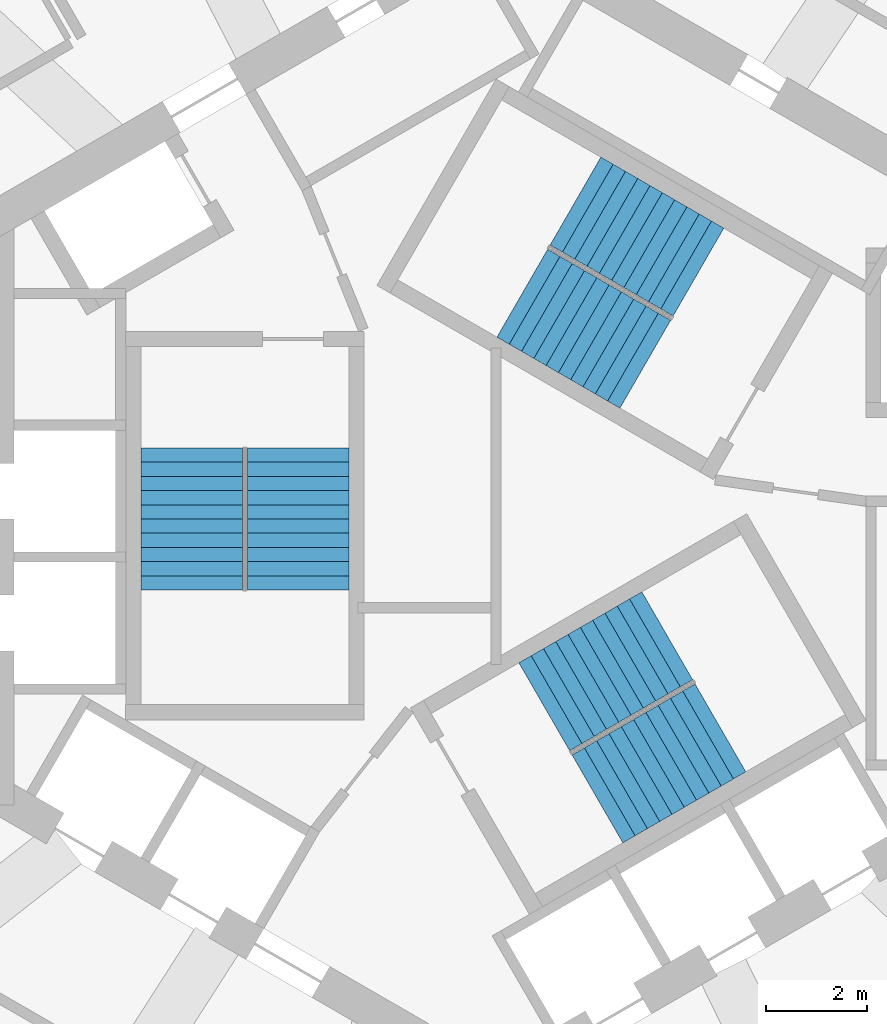
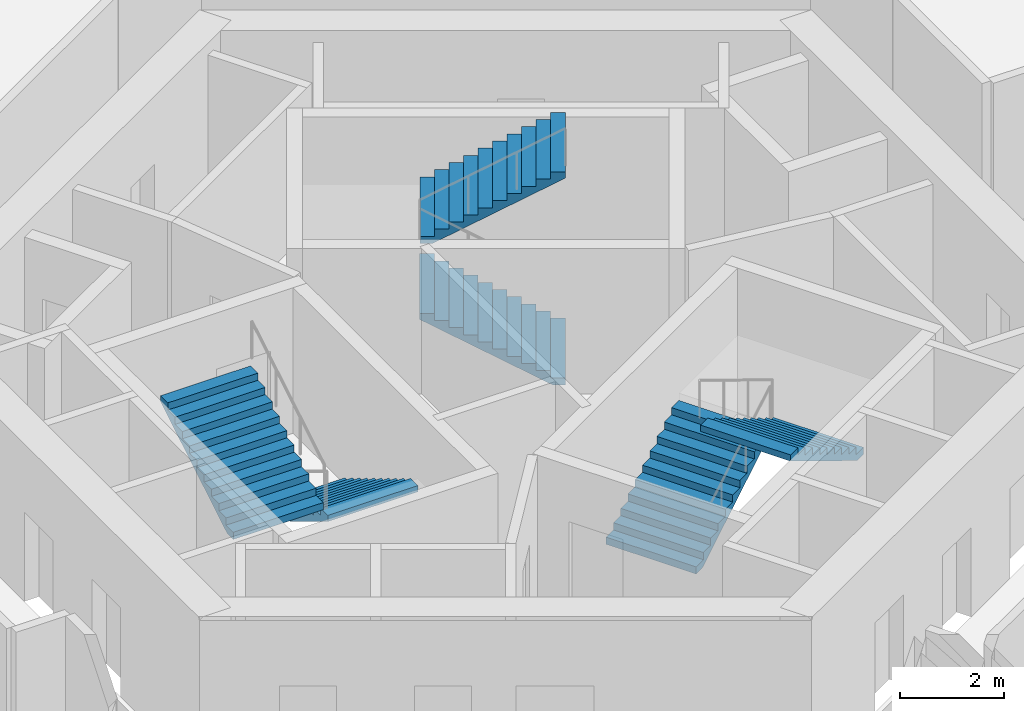
# One storey, part 8 of 10: 6 stair flights, 3 elements without a shape of their own.
"""IFC4 building model written with IfcOpenShell, lengths in metres."""

from ifc_helpers import new_model, si_unit, direction, frame, origin, place, context, subcontext, project, spatial, triangles, source, transform, mapped, material, type_object, element, aggregate, save


model = new_model("IFC4")

# Units and contexts
model_context = context("Model", 3, precision=1e-05, world=origin(), true_north=direction((0.0, 1.0)))
body_context = subcontext(model_context, "Body", "Model", "MODEL_VIEW")
ifc_project = project(units=[si_unit("LENGTHUNIT", "METRE"), si_unit("AREAUNIT", "SQUARE_METRE"), si_unit("VOLUMEUNIT", "CUBIC_METRE"), si_unit("PLANEANGLEUNIT", "RADIAN"), si_unit("MASSUNIT", "GRAM", prefix="KILO")], contexts=[model_context])

# Site, building, storey
site_placement = place(None, origin())
site = spatial("IfcSite", under=ifc_project, at=site_placement, CompositionType="ELEMENT")
building_placement = place(site_placement, origin())
building = spatial("IfcBuilding", under=site, at=building_placement, Name="Vanh Sen Convention Tower", CompositionType="ELEMENT")
storey_placement = place(building_placement, frame((0.0, 0.0, 263.5)))
storey = spatial("IfcBuildingStorey", under=building, at=storey_placement, Name="L65", CompositionType="ELEMENT", Elevation=263.5)

# Stair, stair flights
ifc_material_1 = material(Name="Concrete C50/60", Category="concrete")
stair_type_1 = type_object("IfcStairType", Name="Exit stair ST1 22 risers at 168.2", PredefinedType="HALF_TURN_STAIR", material=ifc_material_1)
stair_1_placement = place(storey_placement, origin())
stair_1 = element("IfcStair", 1, at=stair_1_placement, inside=storey, type_object=stair_type_1, Name="Exit stair ST1 L65", PredefinedType="HALF_TURN_STAIR")
ifc_material_2 = material(Name="Concrete C40/50", Category="concrete")
stair_flight_type = type_object("IfcStairFlightType", Name="Stair flight 2000", PredefinedType="STRAIGHT", material=ifc_material_2)
shared_shape = source(origin(), body_context, "Body", "Tessellation", [
    triangles([(0.24267578125, 1.0, 0.0), (0.0, 1.0, 0.0), (0.0, 1.0, 0.168212890625), (0.280029296875, 1.0, 0.168212890625), (0.280029296875, 1.0, 0.33642578125), (0.56005859375, 1.0, 0.33642578125), (0.56005859375, 1.0, 0.504638671875), (0.840087890625, 1.0, 0.504638671875), (0.840087890625, 1.0, 0.672607421875), (1.1201171875, 1.0, 0.672607421875), (1.1201171875, 1.0, 0.8408203125), (1.39990234375, 1.0, 0.8408203125), (1.39990234375, 1.0, 1.009033203125), (1.679931640625, 1.0, 1.009033203125), (1.679931640625, 1.0, 1.17724609375), (1.9599609375, 1.0, 1.17724609375), (1.9599609375, 1.0, 1.345458984375), (2.239990234375, 1.0, 1.345458984375), (2.239990234375, 1.0, 1.513671875), (2.52001953125, 1.0, 1.513671875), (2.52001953125, 1.0, 1.681884765625), (2.800048828125, 1.0, 1.681884765625), (2.800048828125, 1.0, 1.535888671875), (0.24267578125, -1.0, 0.0), (0.0, -1.0, 0.0), (0.0, -1.0, 0.168212890625), (0.280029296875, -1.0, 0.168212890625), (0.280029296875, -1.0, 0.33642578125), (0.56005859375, -1.0, 0.33642578125), (0.56005859375, -1.0, 0.504638671875), (0.840087890625, -1.0, 0.504638671875), (0.840087890625, -1.0, 0.672607421875), (1.1201171875, -1.0, 0.672607421875), (1.1201171875, -1.0, 0.8408203125), (1.39990234375, -1.0, 0.8408203125), (1.39990234375, -1.0, 1.009033203125), (1.679931640625, -1.0, 1.009033203125), (1.679931640625, -1.0, 1.17724609375), (1.9599609375, -1.0, 1.17724609375), (1.9599609375, -1.0, 1.345458984375), (2.239990234375, -1.0, 1.345458984375), (2.239990234375, -1.0, 1.513671875), (2.52001953125, -1.0, 1.513671875), (2.52001953125, -1.0, 1.681884765625), (2.800048828125, -1.0, 1.681884765625), (2.800048828125, -1.0, 1.535888671875), (0.0, 0.0400390625, 0.0), (0.0, 0.0390625, 0.0), (0.0, 0.0380859375, 0.0), (0.0, 0.037109375, 0.0), (0.0, 0.035888671875, 0.0), (0.0, 0.034912109375, 0.0), (0.0, 0.033935546875, 0.0), (0.0, 0.032958984375, 0.0), (0.0, 0.031982421875, 0.0), (0.0, 0.031005859375, 0.0), (0.0, 0.030029296875, 0.0), (0.0, 0.029052734375, 0.0), (0.0, 0.028076171875, 0.0), (0.0, 0.027099609375, 0.0), (0.0, 0.02587890625, 0.0), (0.0, 0.02490234375, 0.0), (0.0, 0.02392578125, 0.0), (0.0, 0.02294921875, 0.0), (0.0, 0.02197265625, 0.0), (0.0, 0.02099609375, 0.0), (0.0, 0.02001953125, 0.0), (0.0, 0.01904296875, 0.0), (0.0, 0.01806640625, 0.0), (0.0, 0.01708984375, 0.0), (0.0, 0.01611328125, 0.0), (0.0, 0.014892578125, 0.0), (0.0, 0.013916015625, 0.0), (0.0, 0.012939453125, 0.0), (0.0, 0.011962890625, 0.0), (0.0, 0.010986328125, 0.0), (0.0, 0.010009765625, 0.0), (0.0, 0.009033203125, 0.0), (0.0, 0.008056640625, 0.0), (0.0, 0.007080078125, 0.0), (0.0, 0.006103515625, 0.0), (0.0, 0.0048828125, 0.0), (0.0, 0.00390625, 0.0), (0.0, 0.0029296875, 0.0), (0.0, 0.001953125, 0.0), (0.0, 0.0009765625, 0.0), (0.0, 0.0, 0.0), (0.0, -0.0009765625, 0.0), (0.0, -0.001953125, 0.0), (0.0, -0.0029296875, 0.0), (0.0, -0.00390625, 0.0), (0.0, -0.0048828125, 0.0), (0.0, -0.006103515625, 0.0), (0.0, -0.007080078125, 0.0), (0.0, -0.008056640625, 0.0), (0.0, -0.009033203125, 0.0), (0.0, -0.010009765625, 0.0), (0.0, -0.010986328125, 0.0), (0.0, -0.011962890625, 0.0), (0.0, -0.012939453125, 0.0), (0.0, -0.013916015625, 0.0), (0.0, -0.014892578125, 0.0), (0.0, -0.01611328125, 0.0), (0.0, -0.01708984375, 0.0), (0.0, -0.01806640625, 0.0), (0.0, -0.01904296875, 0.0), (0.0, -0.02001953125, 0.0), (0.0, -0.02099609375, 0.0), (0.0, -0.02197265625, 0.0), (0.0, -0.02294921875, 0.0), (0.0, -0.02392578125, 0.0), (0.0, -0.02490234375, 0.0), (0.0, -0.02587890625, 0.0), (0.0, -0.027099609375, 0.0), (0.0, -0.028076171875, 0.0), (0.0, -0.029052734375, 0.0), (0.0, -0.030029296875, 0.0), (0.0, -0.031005859375, 0.0), (0.0, -0.031982421875, 0.0), (0.0, -0.032958984375, 0.0), (0.0, -0.033935546875, 0.0), (0.0, -0.034912109375, 0.0), (0.0, -0.035888671875, 0.0), (0.0, -0.037109375, 0.0), (0.0, -0.0380859375, 0.0), (0.0, -0.0390625, 0.0), (0.0, -0.0400390625, 0.0), (0.0, 0.0400390625, 0.168212890625), (0.0, 0.0390625, 0.168212890625), (0.0, 0.0380859375, 0.168212890625), (0.0, 0.037109375, 0.168212890625), (0.0, 0.035888671875, 0.168212890625), (0.0, 0.034912109375, 0.168212890625), (0.0, 0.033935546875, 0.168212890625), (0.0, 0.032958984375, 0.168212890625), (0.0, 0.031982421875, 0.168212890625), (0.0, 0.031005859375, 0.168212890625), (0.0, 0.030029296875, 0.168212890625), (0.0, 0.029052734375, 0.168212890625), (0.0, 0.028076171875, 0.168212890625), (0.0, 0.027099609375, 0.168212890625), (0.0, 0.02587890625, 0.168212890625), (0.0, 0.02490234375, 0.168212890625), (0.0, 0.02392578125, 0.168212890625), (0.0, 0.02294921875, 0.168212890625), (0.0, 0.02197265625, 0.168212890625), (0.0, 0.02099609375, 0.168212890625), (0.0, 0.02001953125, 0.168212890625), (0.0, 0.01904296875, 0.168212890625), (0.0, 0.01806640625, 0.168212890625), (0.0, 0.01708984375, 0.168212890625), (0.0, 0.01611328125, 0.168212890625), (0.0, 0.014892578125, 0.168212890625), (0.0, 0.013916015625, 0.168212890625), (0.0, 0.012939453125, 0.168212890625), (0.0, 0.011962890625, 0.168212890625), (0.0, 0.010986328125, 0.168212890625), (0.0, 0.010009765625, 0.168212890625), (0.0, 0.009033203125, 0.168212890625), (0.0, 0.008056640625, 0.168212890625), (0.0, 0.007080078125, 0.168212890625), (0.0, 0.006103515625, 0.168212890625), (0.0, 0.0048828125, 0.168212890625), (0.0, 0.00390625, 0.168212890625), (0.0, 0.0029296875, 0.168212890625), (0.0, 0.001953125, 0.168212890625), (0.0, 0.0009765625, 0.168212890625), (0.0, 0.0, 0.168212890625), (0.0, -0.0009765625, 0.168212890625), (0.0, -0.001953125, 0.168212890625), (0.0, -0.0029296875, 0.168212890625), (0.0, -0.00390625, 0.168212890625), (0.0, -0.0048828125, 0.168212890625), (0.0, -0.006103515625, 0.168212890625), (0.0, -0.007080078125, 0.168212890625), (0.0, -0.008056640625, 0.168212890625), (0.0, -0.009033203125, 0.168212890625), (0.0, -0.010009765625, 0.168212890625), (0.0, -0.010986328125, 0.168212890625), (0.0, -0.011962890625, 0.168212890625), (0.0, -0.012939453125, 0.168212890625), (0.0, -0.013916015625, 0.168212890625), (0.0, -0.014892578125, 0.168212890625), (0.0, -0.01611328125, 0.168212890625), (0.0, -0.01708984375, 0.168212890625), (0.0, -0.01806640625, 0.168212890625), (0.0, -0.01904296875, 0.168212890625), (0.0, -0.02001953125, 0.168212890625), (0.0, -0.02099609375, 0.168212890625), (0.0, -0.02197265625, 0.168212890625), (0.0, -0.02294921875, 0.168212890625), (0.0, -0.02392578125, 0.168212890625), (0.0, -0.02490234375, 0.168212890625), (0.0, -0.02587890625, 0.168212890625), (0.0, -0.027099609375, 0.168212890625), (0.0, -0.028076171875, 0.168212890625), (0.0, -0.029052734375, 0.168212890625), (0.0, -0.030029296875, 0.168212890625), (0.0, -0.031005859375, 0.168212890625), (0.0, -0.031982421875, 0.168212890625), (0.0, -0.032958984375, 0.168212890625), (0.0, -0.033935546875, 0.168212890625), (0.0, -0.034912109375, 0.168212890625), (0.0, -0.035888671875, 0.168212890625), (0.0, -0.037109375, 0.168212890625), (0.0, -0.0380859375, 0.168212890625), (0.0, -0.0390625, 0.168212890625), (0.0, -0.0400390625, 0.168212890625), (0.280029296875, 0.0, 0.168212890625), (0.280029296875, 0.0, 0.33642578125), (0.56005859375, 0.0, 0.33642578125), (0.56005859375, 0.0, 0.504638671875), (0.840087890625, 0.0, 0.504638671875), (0.840087890625, 0.0, 0.672607421875), (1.1201171875, 0.0, 0.672607421875), (1.1201171875, 0.0, 0.8408203125), (1.39990234375, 0.0, 0.8408203125), (1.39990234375, 0.0, 1.009033203125), (1.679931640625, 0.0, 1.009033203125), (1.679931640625, 0.0, 1.17724609375), (1.9599609375, 0.0, 1.17724609375), (1.9599609375, 0.0, 1.345458984375), (2.239990234375, 0.0, 1.345458984375), (2.239990234375, 0.0, 1.513671875), (2.52001953125, 0.0, 1.513671875), (2.52001953125, 0.0, 1.681884765625), (2.800048828125, 0.0400390625, 1.681884765625), (2.800048828125, 0.0390625, 1.681884765625), (2.800048828125, 0.0380859375, 1.681884765625), (2.800048828125, 0.037109375, 1.681884765625), (2.800048828125, 0.035888671875, 1.681884765625), (2.800048828125, 0.034912109375, 1.681884765625), (2.800048828125, 0.033935546875, 1.681884765625), (2.800048828125, 0.032958984375, 1.681884765625), (2.800048828125, 0.031982421875, 1.681884765625), (2.800048828125, 0.031005859375, 1.681884765625), (2.800048828125, 0.030029296875, 1.681884765625), (2.800048828125, 0.029052734375, 1.681884765625), (2.800048828125, 0.028076171875, 1.681884765625), (2.800048828125, 0.027099609375, 1.681884765625), (2.800048828125, 0.02587890625, 1.681884765625), (2.800048828125, 0.02490234375, 1.681884765625), (2.800048828125, 0.02392578125, 1.681884765625), (2.800048828125, 0.02294921875, 1.681884765625), (2.800048828125, 0.02197265625, 1.681884765625), (2.800048828125, 0.02099609375, 1.681884765625), (2.800048828125, 0.02001953125, 1.681884765625), (2.800048828125, 0.01904296875, 1.681884765625), (2.800048828125, 0.01806640625, 1.681884765625), (2.800048828125, 0.01708984375, 1.681884765625), (2.800048828125, 0.01611328125, 1.681884765625), (2.800048828125, 0.014892578125, 1.681884765625), (2.800048828125, 0.013916015625, 1.681884765625), (2.800048828125, 0.012939453125, 1.681884765625), (2.800048828125, 0.011962890625, 1.681884765625), (2.800048828125, 0.010986328125, 1.681884765625), (2.800048828125, 0.010009765625, 1.681884765625), (2.800048828125, 0.009033203125, 1.681884765625), (2.800048828125, 0.008056640625, 1.681884765625), (2.800048828125, 0.007080078125, 1.681884765625), (2.800048828125, 0.006103515625, 1.681884765625), (2.800048828125, 0.0048828125, 1.681884765625), (2.800048828125, 0.00390625, 1.681884765625), (2.800048828125, 0.0029296875, 1.681884765625), (2.800048828125, 0.001953125, 1.681884765625), (2.800048828125, 0.0009765625, 1.681884765625), (2.800048828125, 0.0, 1.681884765625), (2.800048828125, -0.0009765625, 1.681884765625), (2.800048828125, -0.001953125, 1.681884765625), (2.800048828125, -0.0029296875, 1.681884765625), (2.800048828125, -0.00390625, 1.681884765625), (2.800048828125, -0.0048828125, 1.681884765625), (2.800048828125, -0.006103515625, 1.681884765625), (2.800048828125, -0.007080078125, 1.681884765625), (2.800048828125, -0.008056640625, 1.681884765625), (2.800048828125, -0.009033203125, 1.681884765625), (2.800048828125, -0.010009765625, 1.681884765625), (2.800048828125, -0.010986328125, 1.681884765625), (2.800048828125, -0.011962890625, 1.681884765625), (2.800048828125, -0.012939453125, 1.681884765625), (2.800048828125, -0.013916015625, 1.681884765625), (2.800048828125, -0.014892578125, 1.681884765625), (2.800048828125, -0.01611328125, 1.681884765625), (2.800048828125, -0.01708984375, 1.681884765625), (2.800048828125, -0.01806640625, 1.681884765625), (2.800048828125, -0.01904296875, 1.681884765625), (2.800048828125, -0.02001953125, 1.681884765625), (2.800048828125, -0.02099609375, 1.681884765625), (2.800048828125, -0.02197265625, 1.681884765625), (2.800048828125, -0.02294921875, 1.681884765625), (2.800048828125, -0.02392578125, 1.681884765625), (2.800048828125, -0.02490234375, 1.681884765625), (2.800048828125, -0.02587890625, 1.681884765625), (2.800048828125, -0.027099609375, 1.681884765625), (2.800048828125, -0.028076171875, 1.681884765625), (2.800048828125, -0.029052734375, 1.681884765625), (2.800048828125, -0.030029296875, 1.681884765625), (2.800048828125, -0.031005859375, 1.681884765625), (2.800048828125, -0.031982421875, 1.681884765625), (2.800048828125, -0.032958984375, 1.681884765625), (2.800048828125, -0.033935546875, 1.681884765625), (2.800048828125, -0.034912109375, 1.681884765625), (2.800048828125, -0.035888671875, 1.681884765625), (2.800048828125, -0.037109375, 1.681884765625), (2.800048828125, -0.0380859375, 1.681884765625), (2.800048828125, -0.0390625, 1.681884765625), (2.800048828125, -0.0400390625, 1.681884765625), (2.800048828125, 0.0400390625, 1.535888671875), (2.800048828125, 0.0390625, 1.535888671875), (2.800048828125, 0.0380859375, 1.535888671875), (2.800048828125, 0.037109375, 1.535888671875), (2.800048828125, 0.035888671875, 1.535888671875), (2.800048828125, 0.034912109375, 1.535888671875), (2.800048828125, 0.033935546875, 1.535888671875), (2.800048828125, 0.032958984375, 1.535888671875), (2.800048828125, 0.031982421875, 1.535888671875), (2.800048828125, 0.031005859375, 1.535888671875), (2.800048828125, 0.030029296875, 1.535888671875), (2.800048828125, 0.029052734375, 1.535888671875), (2.800048828125, 0.028076171875, 1.535888671875), (2.800048828125, 0.027099609375, 1.535888671875), (2.800048828125, 0.02587890625, 1.535888671875), (2.800048828125, 0.02490234375, 1.535888671875), (2.800048828125, 0.02392578125, 1.535888671875), (2.800048828125, 0.02294921875, 1.535888671875), (2.800048828125, 0.02197265625, 1.535888671875), (2.800048828125, 0.02099609375, 1.535888671875), (2.800048828125, 0.02001953125, 1.535888671875), (2.800048828125, 0.01904296875, 1.535888671875), (2.800048828125, 0.01806640625, 1.535888671875), (2.800048828125, 0.01708984375, 1.535888671875), (2.800048828125, 0.01611328125, 1.535888671875), (2.800048828125, 0.014892578125, 1.535888671875), (2.800048828125, 0.013916015625, 1.535888671875), (2.800048828125, 0.012939453125, 1.535888671875), (2.800048828125, 0.011962890625, 1.535888671875), (2.800048828125, 0.010986328125, 1.535888671875), (2.800048828125, 0.010009765625, 1.535888671875), (2.800048828125, 0.009033203125, 1.535888671875), (2.800048828125, 0.008056640625, 1.535888671875), (2.800048828125, 0.007080078125, 1.535888671875), (2.800048828125, 0.006103515625, 1.535888671875), (2.800048828125, 0.0048828125, 1.535888671875), (2.800048828125, 0.00390625, 1.535888671875), (2.800048828125, 0.0029296875, 1.535888671875), (2.800048828125, 0.001953125, 1.535888671875), (2.800048828125, 0.0009765625, 1.535888671875), (2.800048828125, 0.0, 1.535888671875), (2.800048828125, -0.0009765625, 1.535888671875), (2.800048828125, -0.001953125, 1.535888671875), (2.800048828125, -0.0029296875, 1.535888671875), (2.800048828125, -0.00390625, 1.535888671875), (2.800048828125, -0.0048828125, 1.535888671875), (2.800048828125, -0.006103515625, 1.535888671875), (2.800048828125, -0.007080078125, 1.535888671875), (2.800048828125, -0.008056640625, 1.535888671875), (2.800048828125, -0.009033203125, 1.535888671875), (2.800048828125, -0.010009765625, 1.535888671875), (2.800048828125, -0.010986328125, 1.535888671875), (2.800048828125, -0.011962890625, 1.535888671875), (2.800048828125, -0.012939453125, 1.535888671875), (2.800048828125, -0.013916015625, 1.535888671875), (2.800048828125, -0.014892578125, 1.535888671875), (2.800048828125, -0.01611328125, 1.535888671875), (2.800048828125, -0.01708984375, 1.535888671875), (2.800048828125, -0.01806640625, 1.535888671875), (2.800048828125, -0.01904296875, 1.535888671875), (2.800048828125, -0.02001953125, 1.535888671875), (2.800048828125, -0.02099609375, 1.535888671875), (2.800048828125, -0.02197265625, 1.535888671875), (2.800048828125, -0.02294921875, 1.535888671875), (2.800048828125, -0.02392578125, 1.535888671875), (2.800048828125, -0.02490234375, 1.535888671875), (2.800048828125, -0.02587890625, 1.535888671875), (2.800048828125, -0.027099609375, 1.535888671875), (2.800048828125, -0.028076171875, 1.535888671875), (2.800048828125, -0.029052734375, 1.535888671875), (2.800048828125, -0.030029296875, 1.535888671875), (2.800048828125, -0.031005859375, 1.535888671875), (2.800048828125, -0.031982421875, 1.535888671875), (2.800048828125, -0.032958984375, 1.535888671875), (2.800048828125, -0.033935546875, 1.535888671875), (2.800048828125, -0.034912109375, 1.535888671875), (2.800048828125, -0.035888671875, 1.535888671875), (2.800048828125, -0.037109375, 1.535888671875), (2.800048828125, -0.0380859375, 1.535888671875), (2.800048828125, -0.0390625, 1.535888671875), (2.800048828125, -0.0400390625, 1.535888671875), (0.24267578125, 0.0, 0.0)], [[1, 2, 3], [1, 3, 4], [4, 5, 6], [1, 4, 6], [6, 7, 8], [1, 6, 8], [8, 9, 10], [1, 8, 10], [10, 11, 12], [1, 10, 12], [12, 13, 14], [1, 12, 14], [14, 15, 16], [1, 14, 16], [16, 17, 18], [1, 16, 18], [18, 19, 20], [1, 18, 20], [20, 21, 22], [1, 20, 22], [22, 23, 1], [24, 26, 25], [24, 27, 26], [27, 29, 28], [24, 29, 27], [29, 31, 30], [24, 31, 29], [31, 33, 32], [24, 33, 31], [33, 35, 34], [24, 35, 33], [35, 37, 36], [24, 37, 35], [37, 39, 38], [24, 39, 37], [39, 41, 40], [24, 41, 39], [41, 43, 42], [24, 43, 41], [43, 45, 44], [24, 45, 43], [45, 24, 46], [2, 128, 3], [2, 47, 128], [47, 129, 128], [47, 48, 129], [48, 130, 129], [48, 49, 130], [49, 131, 130], [49, 50, 131], [50, 132, 131], [50, 51, 132], [51, 133, 132], [51, 52, 133], [52, 134, 133], [52, 53, 134], [53, 135, 134], [53, 54, 135], [54, 136, 135], [54, 55, 136], [55, 137, 136], [55, 56, 137], [56, 138, 137], [56, 57, 138], [57, 139, 138], [57, 58, 139], [58, 140, 139], [58, 59, 140], [59, 141, 140], [59, 60, 141], [60, 142, 141], [60, 61, 142], [61, 143, 142], [61, 62, 143], [62, 144, 143], [62, 63, 144], [63, 145, 144], [63, 64, 145], [64, 146, 145], [64, 65, 146], [65, 147, 146], [65, 66, 147], [66, 148, 147], [66, 67, 148], [67, 149, 148], [67, 68, 149], [68, 150, 149], [68, 69, 150], [69, 151, 150], [69, 70, 151], [70, 152, 151], [70, 71, 152], [71, 153, 152], [71, 72, 153], [72, 154, 153], [72, 73, 154], [73, 155, 154], [73, 74, 155], [74, 156, 155], [74, 75, 156], [75, 157, 156], [75, 76, 157], [76, 158, 157], [76, 77, 158], [77, 159, 158], [77, 78, 159], [78, 160, 159], [78, 79, 160], [79, 161, 160], [79, 80, 161], [80, 162, 161], [80, 81, 162], [81, 163, 162], [81, 82, 163], [82, 164, 163], [82, 83, 164], [83, 165, 164], [83, 84, 165], [84, 166, 165], [84, 85, 166], [85, 167, 166], [85, 86, 167], [86, 168, 167], [86, 87, 168], [87, 88, 168], [168, 88, 169], [88, 89, 169], [169, 89, 170], [89, 90, 170], [170, 90, 171], [90, 91, 171], [171, 91, 172], [91, 92, 172], [172, 92, 173], [92, 93, 173], [173, 93, 174], [93, 94, 174], [174, 94, 175], [94, 95, 175], [175, 95, 176], [95, 96, 176], [176, 96, 177], [96, 97, 177], [177, 97, 178], [97, 98, 178], [178, 98, 179], [98, 99, 179], [179, 99, 180], [99, 100, 180], [180, 100, 181], [100, 101, 181], [181, 101, 182], [101, 102, 182], [182, 102, 183], [102, 103, 183], [183, 103, 184], [103, 104, 184], [184, 104, 185], [104, 105, 185], [185, 105, 186], [105, 106, 186], [186, 106, 187], [106, 107, 187], [187, 107, 188], [107, 108, 188], [188, 108, 189], [108, 109, 189], [189, 109, 190], [109, 110, 190], [190, 110, 191], [110, 111, 191], [191, 111, 192], [111, 112, 192], [192, 112, 193], [112, 113, 193], [193, 113, 194], [113, 114, 194], [194, 114, 195], [114, 115, 195], [195, 115, 196], [115, 116, 196], [196, 116, 197], [116, 117, 197], [197, 117, 198], [117, 118, 198], [198, 118, 199], [118, 119, 199], [199, 119, 200], [119, 120, 200], [200, 120, 201], [120, 121, 201], [201, 121, 202], [121, 122, 202], [202, 122, 203], [122, 123, 203], [203, 123, 204], [123, 124, 204], [204, 124, 205], [124, 125, 205], [205, 125, 206], [125, 126, 206], [206, 126, 207], [126, 127, 207], [207, 127, 208], [127, 25, 208], [208, 25, 26], [4, 3, 128], [4, 128, 129], [4, 129, 130], [4, 130, 131], [4, 131, 132], [4, 132, 133], [4, 133, 134], [4, 134, 135], [4, 135, 136], [4, 136, 137], [4, 137, 138], [4, 138, 139], [4, 139, 140], [4, 140, 141], [4, 141, 142], [4, 142, 143], [4, 143, 144], [4, 144, 145], [4, 145, 146], [4, 146, 147], [4, 147, 148], [4, 148, 149], [4, 149, 150], [4, 150, 151], [4, 151, 152], [4, 152, 153], [4, 153, 154], [4, 154, 155], [4, 155, 156], [4, 156, 157], [4, 157, 158], [4, 158, 159], [4, 159, 160], [4, 160, 161], [4, 161, 162], [4, 162, 163], [4, 163, 164], [4, 164, 165], [4, 165, 166], [4, 166, 167], [4, 167, 168], [27, 168, 169], [27, 169, 170], [27, 170, 171], [27, 171, 172], [27, 172, 173], [27, 173, 174], [27, 174, 175], [27, 175, 176], [27, 176, 177], [27, 177, 178], [27, 178, 179], [27, 179, 180], [27, 180, 181], [27, 181, 182], [27, 182, 183], [27, 183, 184], [27, 184, 185], [27, 185, 186], [27, 186, 187], [27, 187, 188], [27, 188, 189], [27, 189, 190], [27, 190, 191], [27, 191, 192], [27, 192, 193], [27, 193, 194], [27, 194, 195], [27, 195, 196], [27, 196, 197], [27, 197, 198], [27, 198, 199], [27, 199, 200], [27, 200, 201], [27, 201, 202], [27, 202, 203], [27, 203, 204], [27, 204, 205], [27, 205, 206], [27, 206, 207], [27, 207, 208], [27, 208, 26], [4, 168, 209], [27, 209, 168], [4, 210, 5], [4, 209, 210], [209, 27, 210], [210, 27, 28], [5, 211, 6], [5, 210, 211], [210, 28, 211], [211, 28, 29], [6, 212, 7], [6, 211, 212], [211, 29, 212], [212, 29, 30], [7, 213, 8], [7, 212, 213], [212, 30, 213], [213, 30, 31], [8, 214, 9], [8, 213, 214], [213, 31, 214], [214, 31, 32], [9, 215, 10], [9, 214, 215], [214, 32, 215], [215, 32, 33], [10, 216, 11], [10, 215, 216], [215, 33, 216], [216, 33, 34], [11, 217, 12], [11, 216, 217], [216, 34, 217], [217, 34, 35], [12, 218, 13], [12, 217, 218], [217, 35, 218], [218, 35, 36], [13, 219, 14], [13, 218, 219], [218, 36, 219], [219, 36, 37], [14, 220, 15], [14, 219, 220], [219, 37, 220], [220, 37, 38], [15, 221, 16], [15, 220, 221], [220, 38, 221], [221, 38, 39], [16, 222, 17], [16, 221, 222], [221, 39, 222], [222, 39, 40], [17, 223, 18], [17, 222, 223], [222, 40, 223], [223, 40, 41], [18, 224, 19], [18, 223, 224], [223, 41, 224], [224, 41, 42], [19, 225, 20], [19, 224, 225], [224, 42, 225], [225, 42, 43], [20, 226, 21], [20, 225, 226], [225, 43, 226], [226, 43, 44], [21, 227, 22], [21, 228, 227], [21, 229, 228], [21, 230, 229], [21, 231, 230], [21, 232, 231], [21, 233, 232], [21, 234, 233], [21, 235, 234], [21, 236, 235], [21, 237, 236], [21, 238, 237], [21, 239, 238], [21, 240, 239], [21, 241, 240], [21, 242, 241], [21, 243, 242], [21, 244, 243], [21, 245, 244], [21, 246, 245], [21, 247, 246], [21, 248, 247], [21, 249, 248], [21, 250, 249], [21, 251, 250], [21, 252, 251], [21, 253, 252], [21, 254, 253], [21, 255, 254], [21, 256, 255], [21, 257, 256], [21, 258, 257], [21, 259, 258], [21, 260, 259], [21, 261, 260], [21, 262, 261], [21, 263, 262], [21, 264, 263], [21, 265, 264], [21, 266, 265], [21, 267, 266], [44, 268, 267], [44, 269, 268], [44, 270, 269], [44, 271, 270], [44, 272, 271], [44, 273, 272], [44, 274, 273], [44, 275, 274], [44, 276, 275], [44, 277, 276], [44, 278, 277], [44, 279, 278], [44, 280, 279], [44, 281, 280], [44, 282, 281], [44, 283, 282], [44, 284, 283], [44, 285, 284], [44, 286, 285], [44, 287, 286], [44, 288, 287], [44, 289, 288], [44, 290, 289], [44, 291, 290], [44, 292, 291], [44, 293, 292], [44, 294, 293], [44, 295, 294], [44, 296, 295], [44, 297, 296], [44, 298, 297], [44, 299, 298], [44, 300, 299], [44, 301, 300], [44, 302, 301], [44, 303, 302], [44, 304, 303], [44, 305, 304], [44, 306, 305], [44, 307, 306], [44, 45, 307], [21, 226, 267], [44, 267, 226], [22, 308, 23], [22, 227, 308], [227, 309, 308], [227, 228, 309], [228, 310, 309], [228, 229, 310], [229, 311, 310], [229, 230, 311], [230, 312, 311], [230, 231, 312], [231, 313, 312], [231, 232, 313], [232, 314, 313], [232, 233, 314], [233, 315, 314], [233, 234, 315], [234, 316, 315], [234, 235, 316], [235, 317, 316], [235, 236, 317], [236, 318, 317], [236, 237, 318], [237, 319, 318], [237, 238, 319], [238, 320, 319], [238, 239, 320], [239, 321, 320], [239, 240, 321], [240, 322, 321], [240, 241, 322], [241, 323, 322], [241, 242, 323], [242, 324, 323], [242, 243, 324], [243, 325, 324], [243, 244, 325], [244, 326, 325], [244, 245, 326], [245, 327, 326], [245, 246, 327], [246, 328, 327], [246, 247, 328], [247, 329, 328], [247, 248, 329], [248, 330, 329], [248, 249, 330], [249, 331, 330], [249, 250, 331], [250, 332, 331], [250, 251, 332], [251, 333, 332], [251, 252, 333], [252, 334, 333], [252, 253, 334], [253, 335, 334], [253, 254, 335], [254, 336, 335], [254, 255, 336], [255, 337, 336], [255, 256, 337], [256, 338, 337], [256, 257, 338], [257, 339, 338], [257, 258, 339], [258, 340, 339], [258, 259, 340], [259, 341, 340], [259, 260, 341], [260, 342, 341], [260, 261, 342], [261, 343, 342], [261, 262, 343], [262, 344, 343], [262, 263, 344], [263, 345, 344], [263, 264, 345], [264, 346, 345], [264, 265, 346], [265, 347, 346], [265, 266, 347], [266, 348, 347], [266, 267, 348], [267, 268, 348], [348, 268, 349], [268, 269, 349], [349, 269, 350], [269, 270, 350], [350, 270, 351], [270, 271, 351], [351, 271, 352], [271, 272, 352], [352, 272, 353], [272, 273, 353], [353, 273, 354], [273, 274, 354], [354, 274, 355], [274, 275, 355], [355, 275, 356], [275, 276, 356], [356, 276, 357], [276, 277, 357], [357, 277, 358], [277, 278, 358], [358, 278, 359], [278, 279, 359], [359, 279, 360], [279, 280, 360], [360, 280, 361], [280, 281, 361], [361, 281, 362], [281, 282, 362], [362, 282, 363], [282, 283, 363], [363, 283, 364], [283, 284, 364], [364, 284, 365], [284, 285, 365], [365, 285, 366], [285, 286, 366], [366, 286, 367], [286, 287, 367], [367, 287, 368], [287, 288, 368], [368, 288, 369], [288, 289, 369], [369, 289, 370], [289, 290, 370], [370, 290, 371], [290, 291, 371], [371, 291, 372], [291, 292, 372], [372, 292, 373], [292, 293, 373], [373, 293, 374], [293, 294, 374], [374, 294, 375], [294, 295, 375], [375, 295, 376], [295, 296, 376], [376, 296, 377], [296, 297, 377], [377, 297, 378], [297, 298, 378], [378, 298, 379], [298, 299, 379], [379, 299, 380], [299, 300, 380], [380, 300, 381], [300, 301, 381], [381, 301, 382], [301, 302, 382], [382, 302, 383], [302, 303, 383], [383, 303, 384], [303, 304, 384], [384, 304, 385], [304, 305, 385], [385, 305, 386], [305, 306, 386], [386, 306, 387], [306, 307, 387], [387, 307, 388], [307, 45, 388], [388, 45, 46], [1, 23, 308], [1, 308, 309], [1, 309, 310], [1, 310, 311], [1, 311, 312], [1, 312, 313], [1, 313, 314], [1, 314, 315], [1, 315, 316], [1, 316, 317], [1, 317, 318], [1, 318, 319], [1, 319, 320], [1, 320, 321], [1, 321, 322], [1, 322, 323], [1, 323, 324], [1, 324, 325], [1, 325, 326], [1, 326, 327], [1, 327, 328], [1, 328, 329], [1, 329, 330], [1, 330, 331], [1, 331, 332], [1, 332, 333], [1, 333, 334], [1, 334, 335], [1, 335, 336], [1, 336, 337], [1, 337, 338], [1, 338, 339], [1, 339, 340], [1, 340, 341], [1, 341, 342], [1, 342, 343], [1, 343, 344], [1, 344, 345], [1, 345, 346], [1, 346, 347], [1, 347, 348], [24, 348, 349], [24, 349, 350], [24, 350, 351], [24, 351, 352], [24, 352, 353], [24, 353, 354], [24, 354, 355], [24, 355, 356], [24, 356, 357], [24, 357, 358], [24, 358, 359], [24, 359, 360], [24, 360, 361], [24, 361, 362], [24, 362, 363], [24, 363, 364], [24, 364, 365], [24, 365, 366], [24, 366, 367], [24, 367, 368], [24, 368, 369], [24, 369, 370], [24, 370, 371], [24, 371, 372], [24, 372, 373], [24, 373, 374], [24, 374, 375], [24, 375, 376], [24, 376, 377], [24, 377, 378], [24, 378, 379], [24, 379, 380], [24, 380, 381], [24, 381, 382], [24, 382, 383], [24, 383, 384], [24, 384, 385], [24, 385, 386], [24, 386, 387], [24, 387, 388], [24, 388, 46], [1, 348, 389], [24, 389, 348], [1, 47, 2], [1, 48, 47], [1, 49, 48], [1, 50, 49], [1, 51, 50], [1, 52, 51], [1, 53, 52], [1, 54, 53], [1, 55, 54], [1, 56, 55], [1, 57, 56], [1, 58, 57], [1, 59, 58], [1, 60, 59], [1, 61, 60], [1, 62, 61], [1, 63, 62], [1, 64, 63], [1, 65, 64], [1, 66, 65], [1, 67, 66], [1, 68, 67], [1, 69, 68], [1, 70, 69], [1, 71, 70], [1, 72, 71], [1, 73, 72], [1, 74, 73], [1, 75, 74], [1, 76, 75], [1, 77, 76], [1, 78, 77], [1, 79, 78], [1, 80, 79], [1, 81, 80], [1, 82, 81], [1, 83, 82], [1, 84, 83], [1, 85, 84], [1, 86, 85], [1, 87, 86], [24, 88, 87], [24, 89, 88], [24, 90, 89], [24, 91, 90], [24, 92, 91], [24, 93, 92], [24, 94, 93], [24, 95, 94], [24, 96, 95], [24, 97, 96], [24, 98, 97], [24, 99, 98], [24, 100, 99], [24, 101, 100], [24, 102, 101], [24, 103, 102], [24, 104, 103], [24, 105, 104], [24, 106, 105], [24, 107, 106], [24, 108, 107], [24, 109, 108], [24, 110, 109], [24, 111, 110], [24, 112, 111], [24, 113, 112], [24, 114, 113], [24, 115, 114], [24, 116, 115], [24, 117, 116], [24, 118, 117], [24, 119, 118], [24, 120, 119], [24, 121, 120], [24, 122, 121], [24, 123, 122], [24, 124, 123], [24, 125, 124], [24, 126, 125], [24, 127, 126], [24, 25, 127], [1, 389, 87], [24, 87, 389]], closed=True),
])
stair_flight_1_placement = place(storey_placement, frame((2.94580078125, 2.802490234375, 0.0), z_axis=(0.0, 0.0, 1.0), x_axis=(-0.866025403784, 0.5, 0.0)))
stair_flight_1 = element("IfcStairFlight", 2, at=stair_flight_1_placement, type_object=stair_flight_type, Name="ST1 flight 1", NumberOfRisers=11, NumberOfTreads=10, PredefinedType="STRAIGHT", RiserHeight=0.168181818, TreadLength=0.28, context=body_context, shape_type="MappedRepresentation", body=[
    mapped(shared_shape, transform((0.0, 0.0, 0.0))),
])
stair_flight_2_placement = place(storey_placement, frame((1.571044921875, 6.021240234375, 1.85009765625), z_axis=(0.0, 0.0, 1.0), x_axis=(0.866025403784, -0.5, 0.0)))
stair_flight_2 = element("IfcStairFlight", 3, at=stair_flight_2_placement, type_object=stair_flight_type, Name="ST1 flight 2", NumberOfRisers=11, NumberOfTreads=10, PredefinedType="STRAIGHT", RiserHeight=0.168181818, TreadLength=0.28, context=body_context, shape_type="MappedRepresentation", body=[
    mapped(shared_shape, transform((0.0, 0.0, 0.0))),
])
aggregate(stair_1, [stair_flight_1, stair_flight_2])

stair_type_2 = type_object("IfcStairType", Name="Exit stair ST2 22 risers at 168.2", PredefinedType="HALF_TURN_STAIR", material=ifc_material_1)
stair_2_placement = place(storey_placement, origin())
stair_2 = element("IfcStair", 4, at=stair_2_placement, inside=storey, type_object=stair_type_2, Name="Exit stair ST2 L65", PredefinedType="HALF_TURN_STAIR")
stair_flight_3_placement = place(storey_placement, frame((-3.89990234375, 1.14990234375, 0.0), z_axis=(0.0, 0.0, 1.0), x_axis=(0.0, -1.0, 0.0)))
stair_flight_3 = element("IfcStairFlight", 5, at=stair_flight_3_placement, type_object=stair_flight_type, Name="ST2 flight 1", NumberOfRisers=11, NumberOfTreads=10, PredefinedType="STRAIGHT", RiserHeight=0.168181818, TreadLength=0.28, context=body_context, shape_type="MappedRepresentation", body=[
    mapped(shared_shape, transform((0.0, 0.0, 0.0))),
])
stair_flight_4_placement = place(storey_placement, frame((-6.0, -1.64990234375, 1.85009765625), z_axis=(0.0, 0.0, 1.0), x_axis=(0.0, 1.0, 0.0)))
stair_flight_4 = element("IfcStairFlight", 6, at=stair_flight_4_placement, type_object=stair_flight_type, Name="ST2 flight 2", NumberOfRisers=11, NumberOfTreads=10, PredefinedType="STRAIGHT", RiserHeight=0.168181818, TreadLength=0.28, context=body_context, shape_type="MappedRepresentation", body=[
    mapped(shared_shape, transform((0.0, 0.0, 0.0))),
])
aggregate(stair_2, [stair_flight_3, stair_flight_4])

stair_type_3 = type_object("IfcStairType", Name="Exit stair ST3 22 risers at 168.2", PredefinedType="HALF_TURN_STAIR", material=ifc_material_1)
stair_3_placement = place(storey_placement, origin())
stair_3 = element("IfcStair", 7, at=stair_3_placement, inside=storey, type_object=stair_type_3, Name="Exit stair ST3 L65", PredefinedType="HALF_TURN_STAIR")
stair_flight_5_placement = place(storey_placement, frame((0.9541015625, -3.952392578125, 0.0), z_axis=(0.0, 0.0, 1.0), x_axis=(0.866025403784, 0.5, 0.0)))
stair_flight_5 = element("IfcStairFlight", 8, at=stair_flight_5_placement, type_object=stair_flight_type, Name="ST3 flight 1", NumberOfRisers=11, NumberOfTreads=10, PredefinedType="STRAIGHT", RiserHeight=0.168181818, TreadLength=0.28, context=body_context, shape_type="MappedRepresentation", body=[
    mapped(shared_shape, transform((0.0, 0.0, 0.0))),
])
stair_flight_6_placement = place(storey_placement, frame((4.428955078125, -4.37109375, 1.85009765625), z_axis=(0.0, 0.0, 1.0), x_axis=(-0.866025403784, -0.5, 0.0)))
stair_flight_6 = element("IfcStairFlight", 9, at=stair_flight_6_placement, type_object=stair_flight_type, Name="ST3 flight 2", NumberOfRisers=11, NumberOfTreads=10, PredefinedType="STRAIGHT", RiserHeight=0.168181818, TreadLength=0.28, context=body_context, shape_type="MappedRepresentation", body=[
    mapped(shared_shape, transform((0.0, 0.0, 0.0))),
])
aggregate(stair_3, [stair_flight_5, stair_flight_6])

save(model, "model.ifc")
